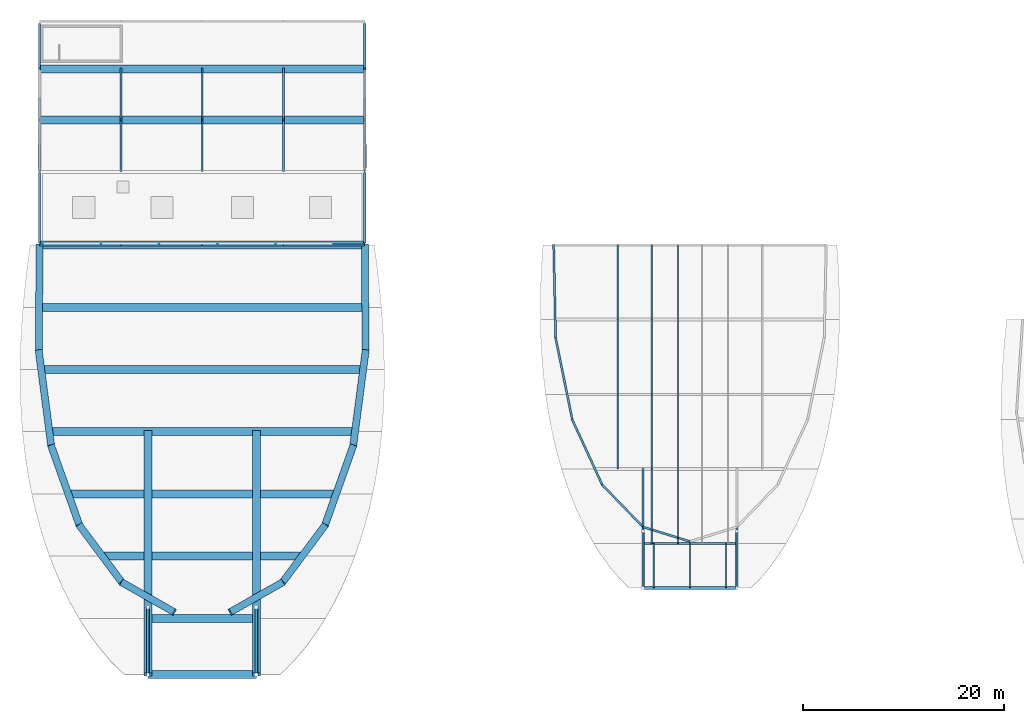
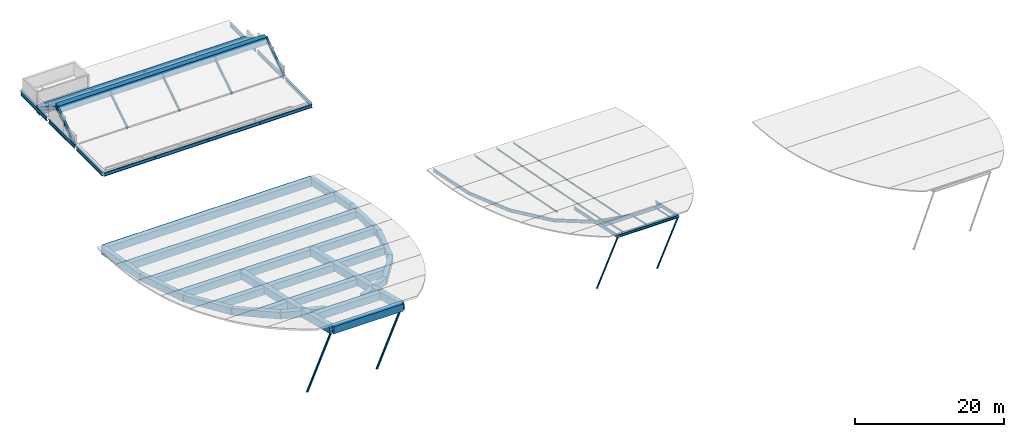
# One storey, part 1 of 9: 42 beams, 30 members, 2 columns.
"""IFC4 building model written with IfcOpenShell, lengths in metres."""

from ifc_helpers import new_model, si_unit, direction, frame, origin, origin_2d, place, context, subcontext, project, spatial, rectangle, hollow_circle, i_section, extrude, material, material_profile, profile_set, type_object, element, save


model = new_model("IFC4")

# Units and contexts
model_context = context("Model", 3, precision=1e-05, world=origin(), true_north=direction((0.0, 1.0)))
body_context = subcontext(model_context, "Body", "Model", "MODEL_VIEW")
ifc_project = project(units=[si_unit("LENGTHUNIT", "METRE"), si_unit("AREAUNIT", "SQUARE_METRE"), si_unit("VOLUMEUNIT", "CUBIC_METRE"), si_unit("PLANEANGLEUNIT", "RADIAN"), si_unit("MASSUNIT", "GRAM", prefix="KILO")], contexts=[model_context])

# Site, building, storey
site_placement = place(None, origin())
site = spatial("IfcSite", under=ifc_project, at=site_placement, CompositionType="ELEMENT")
building_placement = place(site_placement, origin())
building = spatial("IfcBuilding", under=site, at=building_placement, Name="Kaelora Sail Theatre", CompositionType="ELEMENT")
storey_placement = place(building_placement, frame((0.0, 0.0, 33.60009765625)))
storey = spatial("IfcBuildingStorey", under=building, at=storey_placement, Name="ROOF", CompositionType="ELEMENT", Elevation=33.60009765625)

# Columns
ifc_material_1 = material(Name="Steel S355", Category="steel")
ifc_material_profile_1 = material_profile(ifc_material_1, i_section(OverallWidth=0.300048828125, OverallDepth=0.489990234375, WebThickness=0.011962890625, FlangeThickness=0.02294921875, FilletRadius=0.027099609375, at=origin_2d()), Name="HEA 500")
ifc_profile_set_1 = profile_set([ifc_material_profile_1], Name="Steel S355")
column_type = type_object("IfcColumnType", Name="STR-COL-C-HEA500", PredefinedType="COLUMN", material=ifc_profile_set_1)
for number, where, z_axis, x_axis, name in (
    (1, (25.800048828125, 68.85009765625, 0.0), (0.0, 0.827921294933, 0.560844300495), (-1.0, 0.0, 0.0), "Fly Tower raking gable roof column W"),
    (2, (58.199951171875, 68.85009765625, 0.0), (0.0, 0.827921294933, 0.560844300495), (-1.0, 0.0, 0.0), "Fly Tower raking gable roof column E"),
):
    element("IfcColumn", number, at=place(storey_placement, frame(where, z_axis=z_axis, x_axis=x_axis)), inside=storey, type_object=column_type, Name=name, PredefinedType="COLUMN", context=body_context, shape_type="SweptSolid", body=[
        extrude(i_section(OverallWidth=0.300048828125, OverallDepth=0.489990234375, WebThickness=0.011962890625, FlangeThickness=0.02294921875, FilletRadius=0.027099609375, at=origin_2d()), origin(), (0.0, 0.0, 1.0), 5.616455078125),
    ])

# Beams
ifc_material_2 = material(Name="Steel S355", Category="steel")
ifc_material_profile_2 = material_profile(ifc_material_2, i_section(OverallWidth=0.199951171875, OverallDepth=0.5, WebThickness=0.01025390625, FlangeThickness=0.01611328125, FilletRadius=0.02099609375, at=origin_2d()), Name="IPE 500")
ifc_profile_set_2 = profile_set([ifc_material_profile_2], Name="Steel S355")
beam_type_1 = type_object("IfcBeamType", Name="STR-BM-BM-IPE500", PredefinedType="BEAM", material=ifc_profile_set_2)
beam_1_placement = place(storey_placement, frame((90.60009765625, 31.47998046875, -11.965087890625), z_axis=(-0.953465713044, 0.295406379228, -0.060317536089), x_axis=(-0.295945224504, -0.955204912097, 0.0)))
element("IfcBeam", 3, at=beam_1_placement, inside=storey, type_object=beam_type_1, Name="Studio Theatre perimeter steel ring beam 06", PredefinedType="BEAM", context=body_context, shape_type="SweptSolid", body=[
    extrude(i_section(OverallWidth=0.199951171875, OverallDepth=0.5, WebThickness=0.01025390625, FlangeThickness=0.01611328125, FilletRadius=0.02099609375, at=origin_2d()), origin(), (0.0, 0.0, 1.0), 4.897705078125),
])
beam_2_placement = place(storey_placement, frame((85.930419921875, 32.9267578125, -12.260498046875), z_axis=(-0.689078745279, 0.710020117358, -0.145058318451), x_axis=(-0.717610203851, -0.696444969347, 0.0)))
element("IfcBeam", 4, at=beam_2_placement, inside=storey, type_object=beam_type_1, Name="Studio Theatre perimeter steel ring beam 07", PredefinedType="BEAM", context=body_context, shape_type="SweptSolid", body=[
    extrude(i_section(OverallWidth=0.199951171875, OverallDepth=0.5, WebThickness=0.01025390625, FlangeThickness=0.01611328125, FilletRadius=0.02099609375, at=origin_2d()), origin(), (0.0, 0.0, 1.0), 5.899169921875),
])
beam_3_placement = place(storey_placement, frame((81.865478515625, 37.115234375, -13.1162109375), z_axis=(-0.411254428344, 0.894123503992, -0.177237001713), x_axis=(-0.908506802293, -0.417870063761, 0.0)))
element("IfcBeam", 5, at=beam_3_placement, inside=storey, type_object=beam_type_1, Name="Studio Theatre perimeter steel ring beam 08", PredefinedType="BEAM", context=body_context, shape_type="SweptSolid", body=[
    extrude(i_section(OverallWidth=0.199951171875, OverallDepth=0.5, WebThickness=0.01025390625, FlangeThickness=0.01611328125, FilletRadius=0.02099609375, at=origin_2d()), origin(), (0.0, 0.0, 1.0), 7.258056640625),
])
beam_4_placement = place(storey_placement, frame((78.880615234375, 43.604736328125, -14.402587890625), z_axis=(-0.196375484124, 0.96317362121, -0.183666122736), x_axis=(-0.97984202224, -0.199773900827, 0.0)))
element("IfcBeam", 6, at=beam_4_placement, inside=storey, type_object=beam_type_1, Name="Studio Theatre perimeter steel ring beam 09", PredefinedType="BEAM", context=body_context, shape_type="SweptSolid", body=[
    extrude(i_section(OverallWidth=0.199951171875, OverallDepth=0.5, WebThickness=0.01025390625, FlangeThickness=0.01611328125, FilletRadius=0.02099609375, at=origin_2d()), origin(), (0.0, 0.0, 1.0), 8.471435546875),
])
beam_5_placement = place(storey_placement, frame((77.217041015625, 51.76416015625, -15.95849609375), z_axis=(-0.02093068769, 0.983301402371, -0.180776819332), x_axis=(-0.999773527159, -0.021281315584, 0.0)))
element("IfcBeam", 7, at=beam_5_placement, inside=storey, type_object=beam_type_1, Name="Studio Theatre perimeter steel ring beam 10", PredefinedType="BEAM", context=body_context, shape_type="SweptSolid", body=[
    extrude(i_section(OverallWidth=0.199951171875, OverallDepth=0.5, WebThickness=0.01025390625, FlangeThickness=0.01611328125, FilletRadius=0.02099609375, at=origin_2d()), origin(), (0.0, 0.0, 1.0), 9.4130859375),
])
beam_6_placement = place(storey_placement, frame((85.930419921875, 38.699951171875, -13.4501953125), z_axis=(0.0, -0.979754661109, 0.200201908169), x_axis=(1.0, 0.0, 0.0)))
element("IfcBeam", 8, at=beam_6_placement, inside=storey, type_object=beam_type_1, Name="Studio Theatre prow keel back-span girder W", PredefinedType="BEAM", context=body_context, shape_type="SweptSolid", body=[
    extrude(i_section(OverallWidth=0.199951171875, OverallDepth=0.5, WebThickness=0.01025390625, FlangeThickness=0.01611328125, FilletRadius=0.02099609375, at=origin_2d()), origin(), (0.0, 0.0, 1.0), 5.892578125),
])
for number, where, z_axis, x_axis, name in (
    (9, (85.930419921875, 32.9267578125, -12.2705078125), (0.0, -0.97712700689, 0.212656559751), (1.0, 0.0, 0.0), "Studio Theatre cantilevered prow keel girder W"),
    (10, (95.26953125, 32.9267578125, -12.2705078125), (0.0, -0.97712700689, 0.212656559751), (1.0, 0.0, 0.0), "Studio Theatre cantilevered prow keel girder E"),
):
    element("IfcBeam", number, at=place(storey_placement, frame(where, z_axis=z_axis, x_axis=x_axis)), inside=storey, type_object=beam_type_1, Name=name, PredefinedType="BEAM", context=body_context, shape_type="SweptSolid", body=[
        extrude(i_section(OverallWidth=0.199951171875, OverallDepth=0.5, WebThickness=0.01025390625, FlangeThickness=0.01611328125, FilletRadius=0.02099609375, at=origin_2d()), origin(), (0.0, 0.0, 1.0), 6.208740234375),
    ])
ifc_material_3 = material(Name="Steel S355", Category="steel")
ifc_material_profile_3 = material_profile(ifc_material_3, i_section(OverallWidth=0.2099609375, OverallDepth=0.550048828125, WebThickness=0.010986328125, FlangeThickness=0.01708984375, FilletRadius=0.02392578125, at=origin_2d()), Name="IPE 550")
ifc_profile_set_3 = profile_set([ifc_material_profile_3], Name="Steel S355")
beam_type_2 = type_object("IfcBeamType", Name="STR-BM-BM-IPE550", PredefinedType="USERDEFINED", material=ifc_profile_set_3)
for number, where, z_axis, x_axis, name in (
    (11, (25.80908203125, 61.02001953125, -0.510009765625), (1.0, 0.0, 0.0), (0.0, 1.0, 0.0), "Primary beam I 4-5 (ROOF)"),
    (12, (33.908935546875, 61.02001953125, -0.510009765625), (1.0, 0.0, 0.0), (0.0, 1.0, 0.0), "Primary beam I 5-6 (ROOF)"),
    (13, (42.009033203125, 61.02001953125, -0.510009765625), (1.0, 0.0, 0.0), (0.0, 1.0, 0.0), "Primary beam I 6-7 (ROOF)"),
    (14, (50.10888671875, 61.02001953125, -0.510009765625), (1.0, 0.0, 0.0), (0.0, 1.0, 0.0), "Primary beam I 7-8 (ROOF)"),
):
    element("IfcBeam", number, at=place(storey_placement, frame(where, z_axis=z_axis, x_axis=x_axis)), inside=storey, type_object=beam_type_2, Name=name, ObjectType="GIRDER", PredefinedType="USERDEFINED", context=body_context, shape_type="SweptSolid", body=[
        extrude(i_section(OverallWidth=0.2099609375, OverallDepth=0.550048828125, WebThickness=0.010986328125, FlangeThickness=0.01708984375, FilletRadius=0.02392578125, at=origin_2d()), origin(), (0.0, 0.0, 1.0), 8.08203125),
    ])
ifc_material_4 = material(Name="Steel S355", Category="steel")
ifc_material_profile_4 = material_profile(ifc_material_4, i_section(OverallWidth=0.219970703125, OverallDepth=0.60009765625, WebThickness=0.011962890625, FlangeThickness=0.01904296875, FilletRadius=0.02392578125, at=origin_2d()), Name="IPE 600")
ifc_profile_set_4 = profile_set([ifc_material_profile_4], Name="Steel S355")
beam_type_3 = type_object("IfcBeamType", Name="STR-BM-BM-IPE600", PredefinedType="USERDEFINED", material=ifc_profile_set_4)
for number, where, z_axis, x_axis, name in (
    (15, (25.800048828125, 61.2451171875, -0.53515625), (0.0, 1.0, 0.0), (-1.0, 0.0, 0.0), "Primary beam 4 I-J (ROOF)"),
    (16, (25.800048828125, 68.68505859375, -0.53515625), (0.0, 1.0, 0.0), (-1.0, 0.0, 0.0), "Primary beam 4 J-K (ROOF)"),
    (17, (25.800048828125, 76.125, -0.53515625), (0.0, 1.0, 0.0), (-1.0, 0.0, 0.0), "Primary beam 4 K-L (ROOF)"),
    (18, (58.199951171875, 61.2451171875, -0.53515625), (0.0, 1.0, 0.0), (-1.0, 0.0, 0.0), "Primary beam 8 I-J (ROOF)"),
    (19, (58.199951171875, 68.68505859375, -0.53515625), (0.0, 1.0, 0.0), (-1.0, 0.0, 0.0), "Primary beam 8 J-K (ROOF)"),
    (20, (58.199951171875, 76.125, -0.53515625), (0.0, 1.0, 0.0), (-1.0, 0.0, 0.0), "Primary beam 8 K-L (ROOF)"),
):
    element("IfcBeam", number, at=place(storey_placement, frame(where, z_axis=z_axis, x_axis=x_axis)), inside=storey, type_object=beam_type_3, Name=name, ObjectType="GIRDER", PredefinedType="USERDEFINED", context=body_context, shape_type="SweptSolid", body=[
        extrude(i_section(OverallWidth=0.219970703125, OverallDepth=0.60009765625, WebThickness=0.011962890625, FlangeThickness=0.01904296875, FilletRadius=0.02392578125, at=origin_2d()), origin(), (0.0, 0.0, 1.0), 6.989990234375),
    ])
ifc_material_5 = material(Name="Concrete C50/60", Category="concrete")
ifc_material_profile_5 = material_profile(ifc_material_5, rectangle(XDim=0.699951171875, YDim=1.10009765625, at=origin_2d()), Name="RC-SEB 700x1100")
ifc_profile_set_5 = profile_set([ifc_material_profile_5], Name="Concrete C50/60")
beam_type_4 = type_object("IfcBeamType", Name="STR-BM-SEB-7011", PredefinedType="T_BEAM", material=ifc_profile_set_5)
beam_7_placement = place(storey_placement, frame((58.199951171875, 61.02001953125, -12.815185546875), z_axis=(0.0078091374, -0.982676351173, 0.185165348318), x_axis=(0.99996842564, 0.007946554145, 0.0)))
element("IfcBeam", 21, at=beam_7_placement, inside=storey, type_object=beam_type_4, Name="Main shell curved RC edge beam 01", PredefinedType="T_BEAM", context=body_context, shape_type="SweptSolid", body=[
    extrude(rectangle(XDim=0.699951171875, YDim=1.10009765625, at=origin_2d()), origin(), (0.0, 0.0, 1.0), 10.723388671875),
])
beam_8_placement = place(storey_placement, frame((58.28369140625, 50.482421875, -10.82958984375), z_axis=(-0.12744433353, -0.972860946199, 0.19313083962), x_axis=(0.9915284406, -0.129889766654, 0.0)))
element("IfcBeam", 22, at=beam_8_placement, inside=storey, type_object=beam_type_4, Name="Main shell curved RC edge beam 02", PredefinedType="T_BEAM", context=body_context, shape_type="SweptSolid", body=[
    extrude(rectangle(XDim=0.699951171875, YDim=1.10009765625, at=origin_2d()), origin(), (0.0, 0.0, 1.0), 9.756591796875),
])
beam_9_placement = place(storey_placement, frame((57.040283203125, 40.99072265625, -8.9453125), z_axis=(-0.328321854857, -0.92338383424, 0.198914690981), x_axis=(0.942212241526, -0.335016554693, 0.0)))
element("IfcBeam", 23, at=beam_9_placement, inside=storey, type_object=beam_type_4, Name="Main shell curved RC edge beam 03", PredefinedType="T_BEAM", context=body_context, shape_type="SweptSolid", body=[
    extrude(rectangle(XDim=0.699951171875, YDim=1.10009765625, at=origin_2d()), origin(), (0.0, 0.0, 1.0), 8.563232421875),
])
beam_10_placement = place(storey_placement, frame((54.228759765625, 33.08349609375, -7.241943359375), z_axis=(-0.587342269664, -0.788465992861, 0.182621018418), x_axis=(0.801952114826, -0.597388320547, 0.0)))
element("IfcBeam", 24, at=beam_10_placement, inside=storey, type_object=beam_type_4, Name="Main shell curved RC edge beam 04", PredefinedType="T_BEAM", context=body_context, shape_type="SweptSolid", body=[
    extrude(rectangle(XDim=0.699951171875, YDim=1.10009765625, at=origin_2d()), origin(), (0.0, 0.0, 1.0), 7.204345703125),
])
for number, where, z_axis, x_axis, name in (
    (25, (49.997314453125, 27.403076171875, -5.92626953125), (-0.863135550718, -0.490991944437, 0.117999710103), (0.494446329678, -0.869208160954, 0.0), "Main shell curved RC edge beam 05"),
    (26, (39.21728515625, 24.436767578125, -5.21337890625), (-0.863135550718, 0.490991944437, -0.117999710103), (-0.494446329678, -0.869208160954, 0.0), "Main shell curved RC edge beam 07"),
):
    element("IfcBeam", number, at=place(storey_placement, frame(where, z_axis=z_axis, x_axis=x_axis)), inside=storey, type_object=beam_type_4, Name=name, PredefinedType="T_BEAM", context=body_context, shape_type="SweptSolid", body=[
        extrude(rectangle(XDim=0.699951171875, YDim=1.10009765625, at=origin_2d()), origin(), (0.0, 0.0, 1.0), 6.04150390625),
    ])
beam_11_placement = place(storey_placement, frame((34.002685546875, 27.403076171875, -5.92626953125), z_axis=(-0.587342269664, 0.788465992861, -0.182621018418), x_axis=(-0.801952114826, -0.597388320547, 0.0)))
element("IfcBeam", 27, at=beam_11_placement, inside=storey, type_object=beam_type_4, Name="Main shell curved RC edge beam 08", PredefinedType="T_BEAM", context=body_context, shape_type="SweptSolid", body=[
    extrude(rectangle(XDim=0.699951171875, YDim=1.10009765625, at=origin_2d()), origin(), (0.0, 0.0, 1.0), 7.204345703125),
])
beam_12_placement = place(storey_placement, frame((29.771240234375, 33.08349609375, -7.241943359375), z_axis=(-0.328321854857, 0.92338383424, -0.198914690981), x_axis=(-0.942212241526, -0.335016554693, 0.0)))
element("IfcBeam", 28, at=beam_12_placement, inside=storey, type_object=beam_type_4, Name="Main shell curved RC edge beam 09", PredefinedType="T_BEAM", context=body_context, shape_type="SweptSolid", body=[
    extrude(rectangle(XDim=0.699951171875, YDim=1.10009765625, at=origin_2d()), origin(), (0.0, 0.0, 1.0), 8.563232421875),
])
beam_13_placement = place(storey_placement, frame((26.959716796875, 40.99072265625, -8.9453125), z_axis=(-0.12744433353, 0.972860946199, -0.19313083962), x_axis=(-0.9915284406, -0.129889766654, 0.0)))
element("IfcBeam", 29, at=beam_13_placement, inside=storey, type_object=beam_type_4, Name="Main shell curved RC edge beam 10", PredefinedType="T_BEAM", context=body_context, shape_type="SweptSolid", body=[
    extrude(rectangle(XDim=0.699951171875, YDim=1.10009765625, at=origin_2d()), origin(), (0.0, 0.0, 1.0), 9.756591796875),
])
beam_14_placement = place(storey_placement, frame((25.71630859375, 50.482421875, -10.82958984375), z_axis=(0.0078091374, 0.982676351173, -0.185165348318), x_axis=(-0.99996842564, 0.007946554145, 0.0)))
element("IfcBeam", 30, at=beam_14_placement, inside=storey, type_object=beam_type_4, Name="Main shell curved RC edge beam 11", PredefinedType="T_BEAM", context=body_context, shape_type="SweptSolid", body=[
    extrude(rectangle(XDim=0.699951171875, YDim=1.10009765625, at=origin_2d()), origin(), (0.0, 0.0, 1.0), 10.723388671875),
])
ifc_material_6 = material(Name="Concrete C50/60", Category="concrete")
ifc_material_profile_6 = material_profile(ifc_material_6, rectangle(XDim=0.800048828125, YDim=1.199951171875, at=origin_2d()), Name="RC-SRB 800x1200")
ifc_profile_set_6 = profile_set([ifc_material_profile_6], Name="Concrete C50/60")
beam_type_5 = type_object("IfcBeamType", Name="STR-BM-SRB-8012", PredefinedType="T_BEAM", material=ifc_profile_set_6)
beam_15_placement = place(storey_placement, frame((36.60009765625, 42.419921875, -9.295166015625), z_axis=(0.0, -0.976049558583, 0.217548291625), x_axis=(1.0, 0.0, 0.0)))
element("IfcBeam", 31, at=beam_15_placement, inside=storey, type_object=beam_type_5, Name="Main shell prow keel back-span rib W", PredefinedType="T_BEAM", context=body_context, shape_type="SweptSolid", body=[
    extrude(rectangle(XDim=0.800048828125, YDim=1.199951171875, at=origin_2d()), origin(), (0.0, 0.0, 1.0), 17.027587890625),
])
beam_16_placement = place(storey_placement, frame((36.60009765625, 25.800048828125, -5.5908203125), z_axis=(0.0, -0.969209959693, 0.246235769198), x_axis=(1.0, 0.0, 0.0)))
element("IfcBeam", 32, at=beam_16_placement, inside=storey, type_object=beam_type_5, Name="Main shell cantilevered prow keel rib W", PredefinedType="T_BEAM", context=body_context, shape_type="SweptSolid", body=[
    extrude(rectangle(XDim=0.800048828125, YDim=1.199951171875, at=origin_2d()), origin(), (0.0, 0.0, 1.0), 7.82080078125),
])
beam_17_placement = place(storey_placement, frame((47.39990234375, 42.419921875, -9.295166015625), z_axis=(0.0, -0.976049558583, 0.217548291625), x_axis=(1.0, 0.0, 0.0)))
element("IfcBeam", 33, at=beam_17_placement, inside=storey, type_object=beam_type_5, Name="Main shell prow keel back-span rib E", PredefinedType="T_BEAM", context=body_context, shape_type="SweptSolid", body=[
    extrude(rectangle(XDim=0.800048828125, YDim=1.199951171875, at=origin_2d()), origin(), (0.0, 0.0, 1.0), 17.027587890625),
])
beam_18_placement = place(storey_placement, frame((47.39990234375, 25.800048828125, -5.5908203125), z_axis=(0.0, -0.969209959693, 0.246235769198), x_axis=(1.0, 0.0, 0.0)))
element("IfcBeam", 34, at=beam_18_placement, inside=storey, type_object=beam_type_5, Name="Main shell cantilevered prow keel rib E", PredefinedType="T_BEAM", context=body_context, shape_type="SweptSolid", body=[
    extrude(rectangle(XDim=0.800048828125, YDim=1.199951171875, at=origin_2d()), origin(), (0.0, 0.0, 1.0), 7.82080078125),
])
beam_19_placement = place(storey_placement, frame((25.800048828125, 61.02001953125, -12.84521484375), z_axis=(1.0, 0.0, 0.0), x_axis=(0.0, 1.0, 0.0)))
element("IfcBeam", 35, at=beam_19_placement, inside=storey, type_object=beam_type_5, Name="Main Theatre shell arch rib SRB-01", PredefinedType="T_BEAM", context=body_context, shape_type="SweptSolid", body=[
    extrude(rectangle(XDim=0.800048828125, YDim=1.199951171875, at=origin_2d()), origin(), (0.0, 0.0, 1.0), 32.39990234375),
])
beam_20_placement = place(storey_placement, frame((25.750732421875, 54.820068359375, -11.705078125), z_axis=(1.0, 0.0, 0.0), x_axis=(0.0, 1.0, 0.0)))
element("IfcBeam", 36, at=beam_20_placement, inside=storey, type_object=beam_type_5, Name="Main Theatre shell arch rib SRB-02", PredefinedType="T_BEAM", context=body_context, shape_type="SweptSolid", body=[
    extrude(rectangle(XDim=0.800048828125, YDim=1.199951171875, at=origin_2d()), origin(), (0.0, 0.0, 1.0), 32.49853515625),
])
beam_21_placement = place(storey_placement, frame((25.960205078125, 48.6201171875, -10.525146484375), z_axis=(1.0, 0.0, 0.0), x_axis=(0.0, 1.0, 0.0)))
element("IfcBeam", 37, at=beam_21_placement, inside=storey, type_object=beam_type_5, Name="Main Theatre shell arch rib SRB-03", PredefinedType="T_BEAM", context=body_context, shape_type="SweptSolid", body=[
    extrude(rectangle(XDim=0.800048828125, YDim=1.199951171875, at=origin_2d()), origin(), (0.0, 0.0, 1.0), 32.07958984375),
])
beam_22_placement = place(storey_placement, frame((26.7724609375, 42.419921875, -9.295166015625), z_axis=(1.0, 0.0, 0.0), x_axis=(0.0, 1.0, 0.0)))
element("IfcBeam", 38, at=beam_22_placement, inside=storey, type_object=beam_type_5, Name="Main Theatre shell arch rib SRB-04", PredefinedType="T_BEAM", context=body_context, shape_type="SweptSolid", body=[
    extrude(rectangle(XDim=0.800048828125, YDim=1.199951171875, at=origin_2d()), origin(), (0.0, 0.0, 1.0), 30.455078125),
])
beam_23_placement = place(storey_placement, frame((28.656005859375, 36.219970703125, -7.9951171875), z_axis=(1.0, 0.0, 0.0), x_axis=(0.0, 1.0, 0.0)))
element("IfcBeam", 39, at=beam_23_placement, inside=storey, type_object=beam_type_5, Name="Main Theatre shell arch rib SRB-05", PredefinedType="T_BEAM", context=body_context, shape_type="SweptSolid", body=[
    extrude(rectangle(XDim=0.800048828125, YDim=1.199951171875, at=origin_2d()), origin(), (0.0, 0.0, 1.0), 26.68798828125),
])
beam_24_placement = place(storey_placement, frame((32.05322265625, 30.02001953125, -6.60498046875), z_axis=(1.0, 0.0, 0.0), x_axis=(0.0, 1.0, 0.0)))
element("IfcBeam", 40, at=beam_24_placement, inside=storey, type_object=beam_type_5, Name="Main Theatre shell arch rib SRB-06", PredefinedType="T_BEAM", context=body_context, shape_type="SweptSolid", body=[
    extrude(rectangle(XDim=0.800048828125, YDim=1.199951171875, at=origin_2d()), origin(), (0.0, 0.0, 1.0), 19.8935546875),
])
for number, where, z_axis, x_axis, name in (
    (41, (36.60009765625, 23.820068359375, -5.114990234375), (1.0, 0.0, 0.0), (0.0, 1.0, 0.0), "Main Theatre shell arch rib SRB-07"),
    (42, (36.60009765625, 18.219970703125, -3.64501953125), (1.0, 0.0, 0.0), (0.0, 1.0, 0.0), "Main Theatre shell arch rib SRB-08"),
):
    element("IfcBeam", number, at=place(storey_placement, frame(where, z_axis=z_axis, x_axis=x_axis)), inside=storey, type_object=beam_type_5, Name=name, PredefinedType="T_BEAM", context=body_context, shape_type="SweptSolid", body=[
        extrude(rectangle(XDim=0.800048828125, YDim=1.199951171875, at=origin_2d()), origin(), (0.0, 0.0, 1.0), 10.7998046875),
    ])
for number, where, z_axis, x_axis, name in (
    (43, (25.800048828125, 73.5, 2.7998046875), (1.0, 0.0, 0.0), (0.0, 1.0, 0.0), "Fly Tower main clear-span ridge girder"),
    (44, (25.800048828125, 78.5400390625, -0.550048828125), (1.0, 0.0, 0.0), (0.0, 1.0, 0.0), "Fly Tower north eaves girder"),
):
    element("IfcBeam", number, at=place(storey_placement, frame(where, z_axis=z_axis, x_axis=x_axis)), inside=storey, type_object=beam_type_5, Name=name, PredefinedType="T_BEAM", context=body_context, shape_type="SweptSolid", body=[
        extrude(rectangle(XDim=0.800048828125, YDim=1.199951171875, at=origin_2d()), origin(), (0.0, 0.0, 1.0), 32.39990234375),
    ])

# Members
ifc_material_7 = material(Name="Steel S355", Category="steel")
ifc_material_profile_7 = material_profile(ifc_material_7, hollow_circle(Radius=0.122314453125, WallThickness=0.012451171875, at=origin_2d()), Name="CHS 244.5x12.5")
ifc_profile_set_7 = profile_set([ifc_material_profile_7], Name="Steel S355")
member_type_1 = type_object("IfcMemberType", Name="STR-MEM-BR-CHS244", PredefinedType="BRACE", material=ifc_profile_set_7)
for number, where, z_axis, x_axis, name in (
    (45, (85.930419921875, 32.506591796875, -22.85009765625), (0.0, -0.428687015575, 0.903453066118), (1.0, 0.0, 0.0), "PS-01 Studio Theatre raking prow strut W"),
    (46, (95.26953125, 32.506591796875, -22.85009765625), (0.0, -0.428687015575, 0.903453066118), (1.0, 0.0, 0.0), "PS-01 Studio Theatre raking prow strut E"),
):
    element("IfcMember", number, at=place(storey_placement, frame(where, z_axis=z_axis, x_axis=x_axis)), inside=storey, type_object=member_type_1, Name=name, PredefinedType="BRACE", context=body_context, shape_type="SweptSolid", body=[
        extrude(hollow_circle(Radius=0.122314453125, WallThickness=0.012451171875, at=origin_2d()), origin(), (0.0, 0.0, 1.0), 13.171630859375),
    ])
ifc_material_8 = material(Name="Steel S355", Category="steel")
ifc_material_profile_8 = material_profile(ifc_material_8, hollow_circle(Radius=0.161865234375, WallThickness=0.01611328125, at=origin_2d()), Name="CHS 323.9x16.0")
ifc_profile_set_8 = profile_set([ifc_material_profile_8], Name="Steel S355")
member_type_2 = type_object("IfcMemberType", Name="STR-MEM-BR-CHS324", PredefinedType="BRACE", material=ifc_profile_set_8)
for number, where, z_axis, x_axis, name in (
    (47, (36.60009765625, 24.919921875, -17.9501953125), (0.0, -0.424630495785, 0.905366744502), (1.0, 0.0, 0.0), "PS-01 Main shell expressive raking prow strut W"),
    (48, (47.39990234375, 24.919921875, -17.9501953125), (0.0, -0.424630495785, 0.905366744502), (1.0, 0.0, 0.0), "PS-01 Main shell expressive raking prow strut E"),
):
    element("IfcMember", number, at=place(storey_placement, frame(where, z_axis=z_axis, x_axis=x_axis)), inside=storey, type_object=member_type_2, Name=name, PredefinedType="BRACE", context=body_context, shape_type="SweptSolid", body=[
        extrude(hollow_circle(Radius=0.161865234375, WallThickness=0.01611328125, at=origin_2d()), origin(), (0.0, 0.0, 1.0), 15.7783203125),
    ])
ifc_material_9 = material(Name="Steel S355", Category="steel")
ifc_material_profile_9 = material_profile(ifc_material_9, i_section(OverallWidth=0.1201171875, OverallDepth=0.239990234375, WebThickness=0.006103515625, FlangeThickness=0.009765625, FilletRadius=0.014892578125, at=origin_2d()), Name="IPE 240")
ifc_profile_set_9 = profile_set([ifc_material_profile_9], Name="Steel S355")
member_type_3 = type_object("IfcMemberType", Name="STR-MEM-PR-IPE240", PredefinedType="PURLIN", material=ifc_profile_set_9)
for number, where, z_axis, x_axis, name in (
    (49, (83.39990234375, 61.010009765625, -17.52490234375), (0.0, -0.983617271275, 0.180269419617), (1.0, 0.0, 0.0), "Studio Theatre sail purlin B01-01"),
    (50, (86.800048828125, 61.010009765625, -17.52490234375), (0.0, -0.983617271275, 0.180269419617), (1.0, 0.0, 0.0), "Studio Theatre sail purlin B01-02"),
    (51, (89.39990234375, 61.010009765625, -17.52490234375), (0.0, -0.983617271275, 0.180269419617), (1.0, 0.0, 0.0), "Studio Theatre sail purlin B01-03"),
):
    element("IfcMember", number, at=place(storey_placement, frame(where, z_axis=z_axis, x_axis=x_axis)), inside=storey, type_object=member_type_3, Name=name, PredefinedType="PURLIN", context=body_context, shape_type="SweptSolid", body=[
        extrude(i_section(OverallWidth=0.1201171875, OverallDepth=0.239990234375, WebThickness=0.006103515625, FlangeThickness=0.009765625, FilletRadius=0.014892578125, at=origin_2d()), origin(), (0.0, 0.0, 1.0), 7.54345703125),
    ])
for number, where, z_axis, x_axis, name in (
    (52, (83.39990234375, 53.570068359375, -16.165283203125), (0.0, -0.982664765657, 0.185391365323), (1.0, 0.0, 0.0), "Studio Theatre sail purlin B02-01"),
    (53, (86.800048828125, 53.570068359375, -16.165283203125), (0.0, -0.982664765657, 0.185391365323), (1.0, 0.0, 0.0), "Studio Theatre sail purlin B02-02"),
    (54, (89.39990234375, 53.570068359375, -16.165283203125), (0.0, -0.982664765657, 0.185391365323), (1.0, 0.0, 0.0), "Studio Theatre sail purlin B02-03"),
):
    element("IfcMember", number, at=place(storey_placement, frame(where, z_axis=z_axis, x_axis=x_axis)), inside=storey, type_object=member_type_3, Name=name, PredefinedType="PURLIN", context=body_context, shape_type="SweptSolid", body=[
        extrude(i_section(OverallWidth=0.1201171875, OverallDepth=0.239990234375, WebThickness=0.006103515625, FlangeThickness=0.009765625, FilletRadius=0.014892578125, at=origin_2d()), origin(), (0.0, 0.0, 1.0), 7.551025390625),
    ])
for number, where, z_axis, x_axis, name in (
    (55, (83.39990234375, 46.1298828125, -14.765625), (0.0, -0.981186837783, 0.193060584691), (1.0, 0.0, 0.0), "Studio Theatre sail purlin B03-01"),
    (56, (86.800048828125, 46.1298828125, -14.765625), (0.0, -0.981186837783, 0.193060584691), (1.0, 0.0, 0.0), "Studio Theatre sail purlin B03-02"),
    (57, (89.39990234375, 46.1298828125, -14.765625), (0.0, -0.981186837783, 0.193060584691), (1.0, 0.0, 0.0), "Studio Theatre sail purlin B03-03"),
):
    element("IfcMember", number, at=place(storey_placement, frame(where, z_axis=z_axis, x_axis=x_axis)), inside=storey, type_object=member_type_3, Name=name, PredefinedType="PURLIN", context=body_context, shape_type="SweptSolid", body=[
        extrude(i_section(OverallWidth=0.1201171875, OverallDepth=0.239990234375, WebThickness=0.006103515625, FlangeThickness=0.009765625, FilletRadius=0.014892578125, at=origin_2d()), origin(), (0.0, 0.0, 1.0), 7.562255859375),
    ])
for number, where, z_axis, x_axis, name in (
    (58, (86.800048828125, 38.68994140625, -13.30615234375), (0.0, -0.979655055191, 0.200688746171), (1.0, 0.0, 0.0), "Studio Theatre sail purlin B04-02"),
    (59, (89.39990234375, 38.68994140625, -13.30615234375), (0.0, -0.979655055191, 0.200688746171), (1.0, 0.0, 0.0), "Studio Theatre sail purlin B04-03"),
):
    element("IfcMember", number, at=place(storey_placement, frame(where, z_axis=z_axis, x_axis=x_axis)), inside=storey, type_object=member_type_3, Name=name, PredefinedType="PURLIN", context=body_context, shape_type="SweptSolid", body=[
        extrude(i_section(OverallWidth=0.1201171875, OverallDepth=0.239990234375, WebThickness=0.006103515625, FlangeThickness=0.009765625, FilletRadius=0.014892578125, at=origin_2d()), origin(), (0.0, 0.0, 1.0), 7.573974609375),
    ])
for number, where, z_axis, x_axis, name in (
    (60, (87.0, 31.25, -11.787353515625), (0.0, -0.97587117286, 0.218347095198), (1.0, 0.0, 0.0), "Studio Theatre sail purlin B05-01"),
    (61, (90.60009765625, 31.25, -11.787353515625), (0.0, -0.97587117286, 0.218347095198), (1.0, 0.0, 0.0), "Studio Theatre sail purlin B05-02"),
    (62, (94.199951171875, 31.25, -11.787353515625), (0.0, -0.97587117286, 0.218347095198), (1.0, 0.0, 0.0), "Studio Theatre sail purlin B05-03"),
):
    element("IfcMember", number, at=place(storey_placement, frame(where, z_axis=z_axis, x_axis=x_axis)), inside=storey, type_object=member_type_3, Name=name, PredefinedType="PURLIN", context=body_context, shape_type="SweptSolid", body=[
        extrude(i_section(OverallWidth=0.1201171875, OverallDepth=0.239990234375, WebThickness=0.006103515625, FlangeThickness=0.009765625, FilletRadius=0.014892578125, at=origin_2d()), origin(), (0.0, 0.0, 1.0), 4.48828125),
    ])
ifc_material_10 = material(Name="Steel S355", Category="steel")
ifc_material_profile_10 = material_profile(ifc_material_10, i_section(OverallWidth=0.300048828125, OverallDepth=0.43994140625, WebThickness=0.011474609375, FlangeThickness=0.02099609375, FilletRadius=0.027099609375, at=origin_2d()), Name="HEA 450")
ifc_profile_set_10 = profile_set([ifc_material_profile_10], Name="Steel S355")
member_type_4 = type_object("IfcMemberType", Name="STR-MEM-RF-HEA450", PredefinedType="RAFTER", material=ifc_profile_set_10)
member_1_placement = place(storey_placement, frame((85.930419921875, 26.860107421875, -10.875), z_axis=(1.0, 0.0, 0.0), x_axis=(0.0, 1.0, 0.0)))
element("IfcMember", 63, at=member_1_placement, inside=storey, type_object=member_type_4, Name="Studio Theatre sail steel rafter 06", PredefinedType="RAFTER", context=body_context, shape_type="SweptSolid", body=[
    extrude(i_section(OverallWidth=0.300048828125, OverallDepth=0.43994140625, WebThickness=0.011474609375, FlangeThickness=0.02099609375, FilletRadius=0.027099609375, at=origin_2d()), origin(), (0.0, 0.0, 1.0), 9.339111328125),
])
ifc_material_11 = material(Name="Steel S355", Category="steel")
ifc_material_profile_11 = material_profile(ifc_material_11, i_section(OverallWidth=0.18994140625, OverallDepth=0.449951171875, WebThickness=0.009521484375, FlangeThickness=0.0146484375, FilletRadius=0.02099609375, at=origin_2d()), Name="IPE 450")
ifc_profile_set_11 = profile_set([ifc_material_profile_11], Name="Steel S355")
member_type_5 = type_object("IfcMemberType", Name="STR-MEM-RF-IPE450", PredefinedType="RAFTER", material=ifc_profile_set_11)
for number, where, z_axis, x_axis, name in (
    (64, (25.800048828125, 68.4599609375, -0.300048828125), (0.0, 0.840421059866, 0.541933983188), (-1.0, 0.0, 0.0), "Fly Tower pitched south rafter 1"),
    (65, (25.800048828125, 73.5, 2.949951171875), (0.0, 0.840421059866, -0.541933983188), (-1.0, 0.0, 0.0), "Fly Tower pitched north rafter 1"),
    (66, (33.89990234375, 68.4599609375, -0.300048828125), (0.0, 0.840421059866, 0.541933983188), (-1.0, 0.0, 0.0), "Fly Tower pitched south rafter 2"),
    (67, (33.89990234375, 73.5, 2.949951171875), (0.0, 0.840421059866, -0.541933983188), (-1.0, 0.0, 0.0), "Fly Tower pitched north rafter 2"),
    (68, (42.0, 68.4599609375, -0.300048828125), (0.0, 0.840421059866, 0.541933983188), (-1.0, 0.0, 0.0), "Fly Tower pitched south rafter 3"),
    (69, (42.0, 73.5, 2.949951171875), (0.0, 0.840421059866, -0.541933983188), (-1.0, 0.0, 0.0), "Fly Tower pitched north rafter 3"),
    (70, (50.10009765625, 68.4599609375, -0.300048828125), (0.0, 0.840421059866, 0.541933983188), (-1.0, 0.0, 0.0), "Fly Tower pitched south rafter 4"),
    (71, (50.10009765625, 73.5, 2.949951171875), (0.0, 0.840421059866, -0.541933983188), (-1.0, 0.0, 0.0), "Fly Tower pitched north rafter 4"),
    (72, (58.199951171875, 68.4599609375, -0.300048828125), (0.0, 0.840421059866, 0.541933983188), (-1.0, 0.0, 0.0), "Fly Tower pitched south rafter 5"),
    (73, (58.199951171875, 73.5, 2.949951171875), (0.0, 0.840421059866, -0.541933983188), (-1.0, 0.0, 0.0), "Fly Tower pitched north rafter 5"),
):
    element("IfcMember", number, at=place(storey_placement, frame(where, z_axis=z_axis, x_axis=x_axis)), inside=storey, type_object=member_type_5, Name=name, PredefinedType="RAFTER", context=body_context, shape_type="SweptSolid", body=[
        extrude(i_section(OverallWidth=0.18994140625, OverallDepth=0.449951171875, WebThickness=0.009521484375, FlangeThickness=0.0146484375, FilletRadius=0.02099609375, at=origin_2d()), origin(), (0.0, 0.0, 1.0), 5.9970703125),
    ])
ifc_material_12 = material(Name="Steel S355", Category="steel")
ifc_material_profile_12 = material_profile(ifc_material_12, i_section(OverallWidth=0.199951171875, OverallDepth=0.5, WebThickness=0.01025390625, FlangeThickness=0.01611328125, FilletRadius=0.02099609375, at=origin_2d()), Name="IPE 500")
ifc_profile_set_12 = profile_set([ifc_material_profile_12], Name="Steel S355")
member_type_6 = type_object("IfcMemberType", Name="STR-MEM-RF-IPE500", PredefinedType="RAFTER", material=ifc_profile_set_12)
member_2_placement = place(storey_placement, frame((85.930419921875, 31.260009765625, -11.885009765625), z_axis=(1.0, 0.0, 0.0), x_axis=(0.0, 1.0, 0.0)))
element("IfcMember", 74, at=member_2_placement, inside=storey, type_object=member_type_6, Name="Studio Theatre sail steel rafter 05", PredefinedType="RAFTER", context=body_context, shape_type="SweptSolid", body=[
    extrude(i_section(OverallWidth=0.199951171875, OverallDepth=0.5, WebThickness=0.01025390625, FlangeThickness=0.01611328125, FilletRadius=0.02099609375, at=origin_2d()), origin(), (0.0, 0.0, 1.0), 9.339111328125),
])

save(model, "model.ifc")
